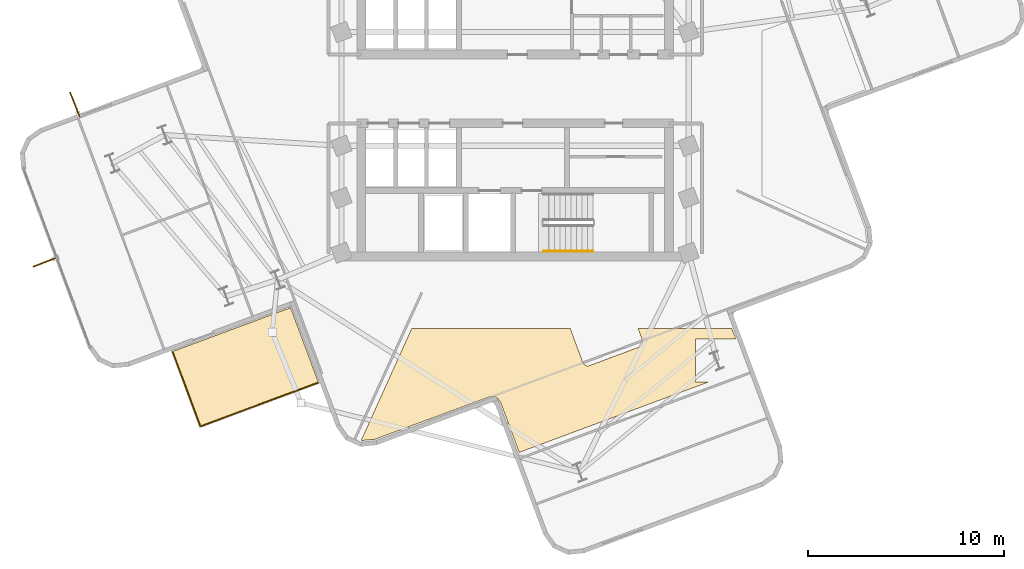
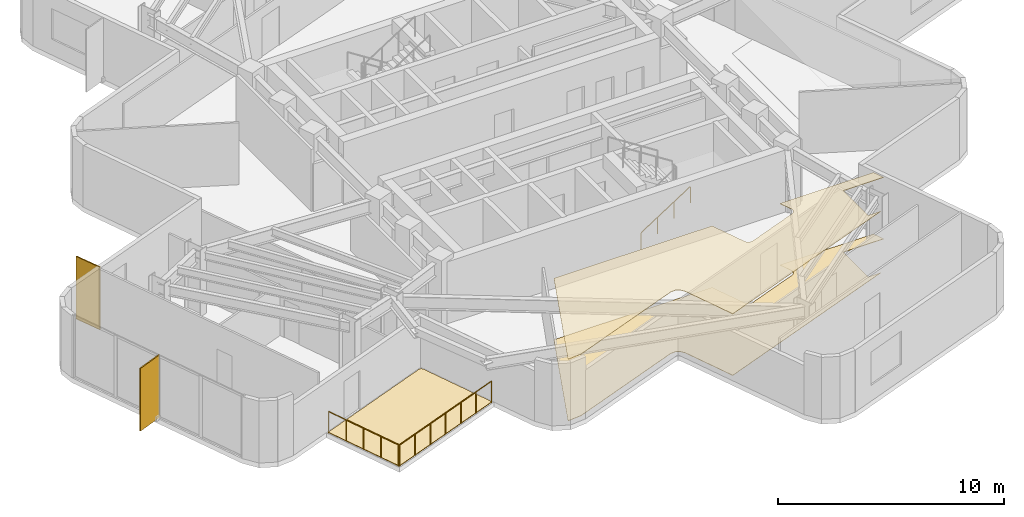
# One storey, part 9 of 11: 3 coverings, 3 railings, 2 shading devices.
"""IFC4 building model written with IfcOpenShell, lengths in metres."""

from ifc_helpers import new_model, si_unit, direction, frame, origin, origin_2d, place, context, subcontext, project, spatial, polyline, rectangle, circle, outline, extrude, material, layer, layer_set, type_object, element, save


model = new_model("IFC4")

# Units and contexts
model_context = context("Model", 3, precision=1e-05, world=origin(), true_north=direction((0.0, 1.0)))
body_context = subcontext(model_context, "Body", "Model", "MODEL_VIEW")
ifc_project = project(units=[si_unit("LENGTHUNIT", "METRE"), si_unit("AREAUNIT", "SQUARE_METRE"), si_unit("VOLUMEUNIT", "CUBIC_METRE"), si_unit("PLANEANGLEUNIT", "RADIAN"), si_unit("MASSUNIT", "GRAM", prefix="KILO")], contexts=[model_context])

# Site, building, storey
site_placement = place(None, origin())
site = spatial("IfcSite", under=ifc_project, at=site_placement, CompositionType="ELEMENT")
building_placement = place(site_placement, origin())
building = spatial("IfcBuilding", under=site, at=building_placement, Name="Solmarez Civic Tower", CompositionType="ELEMENT")
storey_placement = place(building_placement, frame((0.0, 0.0, 170.280029296875)))
storey = spatial("IfcBuildingStorey", under=building, at=storey_placement, Name="L45", CompositionType="ELEMENT", Elevation=170.280029296875)

# Coverings
ifc_material_1 = material(Name="Perforated Mineral-Fibre Acoustic Ceiling")
ifc_layer_1 = layer(ifc_material_1, 0.02490234375)
ifc_layer_set_1 = layer_set([ifc_layer_1], Name="Perforated Mineral-Fibre Acoustic Ceiling")
covering_type_1 = type_object("IfcCoveringType", Name="COV-CEIL-ACOUSTIC", PredefinedType="CEILING", material=ifc_layer_set_1)
covering_1_placement = place(storey_placement, frame((0.0, 0.0, 3.31494140625)))
element("IfcCovering", 1, at=covering_1_placement, inside=storey, type_object=covering_type_1, Name="L45 Suspended Acoustic Ceiling 1", PredefinedType="CEILING", context=body_context, shape_type="SweptSolid", body=[
    extrude(outline(polyline([(-1.385009765625, -15.718994140625), (-1.373046875, -15.714111328125), (-1.35009765625, -15.70703125), (-1.326904296875, -15.701904296875), (-1.320068359375, -15.700927734375), (-1.31298828125, -15.699951171875), (-1.302001953125, -15.698974609375), (-1.135009765625, -15.68310546875), (-1.1298828125, -15.68310546875), (-1.112060546875, -15.680908203125), (-1.093994140625, -15.680908203125), (-1.075927734375, -15.68310546875), (-1.06396484375, -15.68408203125), (-1.056884765625, -15.68505859375), (-1.034912109375, -15.68994140625), (-1.027099609375, -15.69189453125), (-1.02001953125, -15.693115234375), (-1.012939453125, -15.695068359375), (-0.986083984375, -15.705078125), (-0.97900390625, -15.7080078125), (-0.9609375, -15.717041015625), (-0.944091796875, -15.72705078125), (-0.931884765625, -15.735107421875), (-0.9130859375, -15.7490234375), (-0.906982421875, -15.75390625), (-0.89208984375, -15.76708984375), (-0.87890625, -15.781982421875), (-0.8740234375, -15.7880859375), (-0.868896484375, -15.7939453125), (-0.85888671875, -15.806884765625), (-0.759033203125, -15.947021484375), (-0.7548828125, -15.952880859375), (-0.7509765625, -15.958984375), (-0.737060546875, -15.98291015625), (-0.73388671875, -15.989013671875), (-0.72900390625, -16.0), (-0.72607421875, -16.007080078125), (-0.721923828125, -16.01708984375), (0.2119140625, -18.528076171875), (9.83203125, -14.949951171875), (9.18994140625, -14.949951171875), (9.18994140625, -12.75), (11.25, -12.75), (11.044921875, -12.199951171875), (6.264892578125, -12.199951171875), (6.492919921875, -12.81396484375), (6.4990234375, -12.8310546875), (6.5029296875, -12.847900390625), (6.50390625, -12.85302734375), (6.5048828125, -12.85791015625), (6.508056640625, -12.87890625), (6.509033203125, -12.90087890625), (6.509033203125, -12.910888671875), (6.508056640625, -12.93505859375), (6.50390625, -12.9580078125), (6.498046875, -12.98095703125), (6.4951171875, -12.989990234375), (6.489990234375, -13.001953125), (6.488037109375, -13.007080078125), (6.48095703125, -13.02294921875), (6.47705078125, -13.031005859375), (6.465087890625, -13.052001953125), (6.450927734375, -13.071044921875), (6.43603515625, -13.089111328125), (6.431884765625, -13.093017578125), (6.425048828125, -13.10009765625), (6.406005859375, -13.115966796875), (6.385986328125, -13.131103515625), (6.3779296875, -13.135986328125), (6.361083984375, -13.14501953125), (6.343017578125, -13.153076171875), (6.337890625, -13.155029296875), (6.3330078125, -13.156982421875), (3.799072265625, -14.10009765625), (3.781982421875, -14.10595703125), (3.764892578125, -14.110107421875), (3.760009765625, -14.111083984375), (3.7548828125, -14.112060546875), (3.73388671875, -14.114990234375), (3.7119140625, -14.115966796875), (3.701904296875, -14.115966796875), (3.677978515625, -14.114990234375), (3.655029296875, -14.111083984375), (3.632080078125, -14.10498046875), (3.623046875, -14.10205078125), (3.611083984375, -14.096923828125), (3.60595703125, -14.094970703125), (3.590087890625, -14.087890625), (3.58203125, -14.083984375), (3.56494140625, -14.074951171875), (3.550048828125, -14.06396484375), (3.534912109375, -14.052978515625), (3.527099609375, -14.0458984375), (3.510986328125, -14.030029296875), (3.49609375, -14.011962890625), (3.492919921875, -14.008056640625), (3.48193359375, -13.992919921875), (3.47705078125, -13.985107421875), (3.468017578125, -13.968017578125), (3.4599609375, -13.949951171875), (3.4580078125, -13.945068359375), (3.4560546875, -13.93994140625), (2.80810546875, -12.199951171875), (-5.263916015625, -12.199951171875), (-7.845947265625, -17.919921875), (-7.839111328125, -17.923095703125), (-7.134033203125, -17.85693359375), (-1.385009765625, -15.718994140625)])), origin(), (0.0, 0.0, 1.0), 0.025146484375),
])
ifc_material_2 = material(Name="Polished Tropical Stone Terrazzo Flooring", Category="masonry")
ifc_layer_2 = layer(ifc_material_2, 0.02001953125)
ifc_layer_set_2 = layer_set([ifc_layer_2], Name="Polished Tropical Stone Terrazzo Flooring")
covering_type_2 = type_object("IfcCoveringType", Name="COV-FLOOR-TERRAZZO", PredefinedType="FLOORING", material=ifc_layer_set_2)
covering_2_placement = place(storey_placement, origin())
element("IfcCovering", 2, at=covering_2_placement, inside=storey, type_object=covering_type_2, Name="L45 Terrazzo Floor Finish 1", PredefinedType="FLOORING", context=body_context, shape_type="SweptSolid", body=[
    extrude(outline(polyline([(-1.385009765625, -15.718994140625), (-1.373046875, -15.714111328125), (-1.35009765625, -15.70703125), (-1.326904296875, -15.701904296875), (-1.320068359375, -15.700927734375), (-1.31298828125, -15.699951171875), (-1.302001953125, -15.698974609375), (-1.135009765625, -15.68310546875), (-1.1298828125, -15.68310546875), (-1.112060546875, -15.680908203125), (-1.093994140625, -15.680908203125), (-1.075927734375, -15.68310546875), (-1.06396484375, -15.68408203125), (-1.056884765625, -15.68505859375), (-1.034912109375, -15.68994140625), (-1.027099609375, -15.69189453125), (-1.02001953125, -15.693115234375), (-1.012939453125, -15.695068359375), (-0.986083984375, -15.705078125), (-0.97900390625, -15.7080078125), (-0.9609375, -15.717041015625), (-0.944091796875, -15.72705078125), (-0.931884765625, -15.735107421875), (-0.9130859375, -15.7490234375), (-0.906982421875, -15.75390625), (-0.89208984375, -15.76708984375), (-0.87890625, -15.781982421875), (-0.8740234375, -15.7880859375), (-0.868896484375, -15.7939453125), (-0.85888671875, -15.806884765625), (-0.759033203125, -15.947021484375), (-0.7548828125, -15.952880859375), (-0.7509765625, -15.958984375), (-0.737060546875, -15.98291015625), (-0.73388671875, -15.989013671875), (-0.72900390625, -16.0), (-0.72607421875, -16.007080078125), (-0.721923828125, -16.01708984375), (0.2119140625, -18.528076171875), (9.83203125, -14.949951171875), (9.18994140625, -14.949951171875), (9.18994140625, -12.75), (11.25, -12.75), (11.044921875, -12.199951171875), (6.264892578125, -12.199951171875), (6.492919921875, -12.81396484375), (6.4990234375, -12.8310546875), (6.5029296875, -12.847900390625), (6.50390625, -12.85302734375), (6.5048828125, -12.85791015625), (6.508056640625, -12.87890625), (6.509033203125, -12.90087890625), (6.509033203125, -12.910888671875), (6.508056640625, -12.93505859375), (6.50390625, -12.9580078125), (6.498046875, -12.98095703125), (6.4951171875, -12.989990234375), (6.489990234375, -13.001953125), (6.488037109375, -13.007080078125), (6.48095703125, -13.02294921875), (6.47705078125, -13.031005859375), (6.465087890625, -13.052001953125), (6.450927734375, -13.071044921875), (6.43603515625, -13.089111328125), (6.431884765625, -13.093017578125), (6.425048828125, -13.10009765625), (6.406005859375, -13.115966796875), (6.385986328125, -13.131103515625), (6.3779296875, -13.135986328125), (6.361083984375, -13.14501953125), (6.343017578125, -13.153076171875), (6.337890625, -13.155029296875), (6.3330078125, -13.156982421875), (3.799072265625, -14.10009765625), (3.781982421875, -14.10595703125), (3.764892578125, -14.110107421875), (3.760009765625, -14.111083984375), (3.7548828125, -14.112060546875), (3.73388671875, -14.114990234375), (3.7119140625, -14.115966796875), (3.701904296875, -14.115966796875), (3.677978515625, -14.114990234375), (3.655029296875, -14.111083984375), (3.632080078125, -14.10498046875), (3.623046875, -14.10205078125), (3.611083984375, -14.096923828125), (3.60595703125, -14.094970703125), (3.590087890625, -14.087890625), (3.58203125, -14.083984375), (3.56494140625, -14.074951171875), (3.550048828125, -14.06396484375), (3.534912109375, -14.052978515625), (3.527099609375, -14.0458984375), (3.510986328125, -14.030029296875), (3.49609375, -14.011962890625), (3.492919921875, -14.008056640625), (3.48193359375, -13.992919921875), (3.47705078125, -13.985107421875), (3.468017578125, -13.968017578125), (3.4599609375, -13.949951171875), (3.4580078125, -13.945068359375), (3.4560546875, -13.93994140625), (2.80810546875, -12.199951171875), (-5.263916015625, -12.199951171875), (-7.845947265625, -17.919921875), (-7.839111328125, -17.923095703125), (-7.134033203125, -17.85693359375), (-1.385009765625, -15.718994140625)])), origin(), (0.0, 0.0, 1.0), 0.02001953125),
])
ifc_material_3 = material(Name="Elastomeric Terrace Waterproofing Membrane")
ifc_layer_3 = layer(ifc_material_3, 0.030029296875)
ifc_layer_set_3 = layer_set([ifc_layer_3], Name="Elastomeric Terrace Waterproofing Membrane")
covering_type_3 = type_object("IfcCoveringType", Name="COV-MEMBRANE-ROOF", PredefinedType="ROOFING", material=ifc_layer_set_3)
covering_3_placement = place(storey_placement, origin())
element("IfcCovering", 3, at=covering_3_placement, inside=storey, type_object=covering_type_3, Name="L45 Balcony Waterproofing SW", PredefinedType="ROOFING", context=body_context, shape_type="SweptSolid", body=[
    extrude(outline(polyline([(-11.387939453125, -11.297119140625), (-11.462890625, -11.193115234375), (-11.591064453125, -11.205078125), (-17.468017578125, -13.389892578125), (-16.047119140625, -17.212890625), (-10.02099609375, -14.972900390625), (-11.387939453125, -11.297119140625)])), origin(), (0.0, 0.0, 1.0), 0.030029296875),
])

# Shading devices
ifc_material_4 = material(Name="Bronze Anodised Aluminium EN AW-6063 T6", Category="aluminium")
ifc_layer_4 = layer(ifc_material_4, 0.06005859375)
ifc_layer_set_4 = layer_set([ifc_layer_4], Name="Bronze Anodised Aluminium EN AW-6063 T6")
shading_device_type = type_object("IfcShadingDeviceType", Name="FIN-BRONZE-Z34", PredefinedType="USERDEFINED", material=ifc_layer_set_4)
for number, where, z_axis, x_axis, name in (
    (4, (-23.943115234375, -8.819091796875, -0.0400390625), (0.0, 0.0, 1.0), (-0.93025756309, -0.366907163073, 0.0), "L45 Anodised Bronze Solar Fin FIN-L45-01"),
    (5, (-22.43994140625, -0.797119140625, -0.0400390625), (0.0, 0.0, 1.0), (-0.366842217949, 0.930283175775, 0.0), "L45 Anodised Bronze Solar Fin FIN-L45-02"),
):
    element("IfcShadingDevice", number, at=place(storey_placement, frame(where, z_axis=z_axis, x_axis=x_axis)), inside=storey, type_object=shading_device_type, Name=name, ObjectType="FIN", PredefinedType="USERDEFINED", context=body_context, shape_type="SweptSolid", body=[
        extrude(rectangle(XDim=1.35009765625, YDim=0.06005859375, at=origin_2d()), origin(), (0.0, 0.0, 1.0), 3.3798828125),
    ])

# Railings
ifc_material_5 = material(Name="Bronze Anodised Aluminium and Laminated Safety Glass Balustrade", Category="aluminium")
railing_type_1 = type_object("IfcRailingType", Name="GUARD-TERR-1180", PredefinedType="BALUSTRADE", material=ifc_material_5)
railing_1_placement = place(storey_placement, frame((-17.4560546875, -13.423095703125, 0.0)))
element("IfcRailing", 6, at=railing_1_placement, inside=storey, type_object=railing_type_1, Name="L45 Safety Balustrade GRD-BALC-L45-SW-1", PredefinedType="BALUSTRADE", context=body_context, shape_type="SweptSolid", body=[
    extrude(circle(Radius=0.02392578125, at=origin_2d()), frame((0.0, 0.0, 1.15576171875), z_axis=(0.348532133749, -0.937296832249, 0.0), x_axis=(0.937296832249, 0.348532133749, 0.0)), (0.0, 0.0, 1.0), 4.008056640625),
    extrude(circle(Radius=0.02099609375, at=origin_2d()), origin(), (0.0, 0.0, 1.0), 1.1318359375),
    extrude(circle(Radius=0.02099609375, at=origin_2d()), frame((0.34912109375, -0.939208984375, 0.0)), (0.0, 0.0, 1.0), 1.1318359375),
    extrude(circle(Radius=0.02099609375, at=origin_2d()), frame((0.698486328125, -1.87841796875, 0.0)), (0.0, 0.0, 1.0), 1.1318359375),
    extrude(circle(Radius=0.02099609375, at=origin_2d()), frame((1.0478515625, -2.817626953125, 0.0)), (0.0, 0.0, 1.0), 1.1318359375),
    extrude(circle(Radius=0.02099609375, at=origin_2d()), frame((1.39697265625, -3.7568359375, 0.0)), (0.0, 0.0, 1.0), 1.1318359375),
])
railing_2_placement = place(storey_placement, frame((-16.013916015625, -17.200927734375, 0.0)))
element("IfcRailing", 7, at=railing_2_placement, inside=storey, type_object=railing_type_1, Name="L45 Safety Balustrade GRD-BALC-L45-SW-2", PredefinedType="BALUSTRADE", context=body_context, shape_type="SweptSolid", body=[
    extrude(circle(Radius=0.02392578125, at=origin_2d()), frame((0.0, 0.0, 1.15576171875), z_axis=(0.937316374052, 0.348479576065, 0.0), x_axis=(-0.348479576065, 0.937316374052, 0.0)), (0.0, 0.0, 1.0), 6.358642578125),
    extrude(circle(Radius=0.02099609375, at=origin_2d()), origin(), (0.0, 0.0, 1.0), 1.1318359375),
    extrude(circle(Radius=0.02099609375, at=origin_2d()), frame((0.993408203125, 0.369384765625, 0.0)), (0.0, 0.0, 1.0), 1.1318359375),
    extrude(circle(Radius=0.02099609375, at=origin_2d()), frame((1.986572265625, 0.738525390625, 0.0)), (0.0, 0.0, 1.0), 1.1318359375),
    extrude(circle(Radius=0.02099609375, at=origin_2d()), frame((2.97998046875, 1.10791015625, 0.0)), (0.0, 0.0, 1.0), 1.1318359375),
    extrude(circle(Radius=0.02099609375, at=origin_2d()), frame((3.973388671875, 1.477294921875, 0.0)), (0.0, 0.0, 1.0), 1.1318359375),
    extrude(circle(Radius=0.02099609375, at=origin_2d()), frame((4.966552734375, 1.846435546875, 0.0)), (0.0, 0.0, 1.0), 1.1318359375),
    extrude(circle(Radius=0.02099609375, at=origin_2d()), frame((5.9599609375, 2.2158203125, 0.0)), (0.0, 0.0, 1.0), 1.1318359375),
])
ifc_material_6 = material(Name="Brushed Stainless Steel Tube Handrail", Category="steel")
railing_type_2 = type_object("IfcRailingType", Name="HANDRAIL-STAIR-900", PredefinedType="HANDRAIL", material=ifc_material_6)
railing_3_placement = place(storey_placement, frame((1.449951171875, -8.27001953125, 0.179931640625)))
element("IfcRailing", 8, at=railing_3_placement, inside=storey, type_object=railing_type_2, Name="L45 ST-2 stair handrail 1", PredefinedType="HANDRAIL", context=body_context, shape_type="SweptSolid", body=[
    extrude(circle(Radius=0.02392578125, at=origin_2d()), frame((0.0, 0.0, 0.8759765625), z_axis=(0.841162588446, 0.0, 0.540782303519), x_axis=(0.0, 1.0, 0.0)), (0.0, 0.0, 1.0), 2.995849609375),
    extrude(circle(Radius=0.02099609375, at=origin_2d()), origin(), (0.0, 0.0, 1.0), 0.851806640625),
    extrude(circle(Radius=0.02099609375, at=origin_2d()), frame((0.840087890625, 0.0, 0.5400390625)), (0.0, 0.0, 1.0), 0.851806640625),
    extrude(circle(Radius=0.02099609375, at=origin_2d()), frame((1.679931640625, 0.0, 1.080078125)), (0.0, 0.0, 1.0), 0.851806640625),
    extrude(circle(Radius=0.02099609375, at=origin_2d()), frame((2.52001953125, 0.0, 1.6201171875)), (0.0, 0.0, 1.0), 0.851806640625),
])

save(model, "model.ifc")
